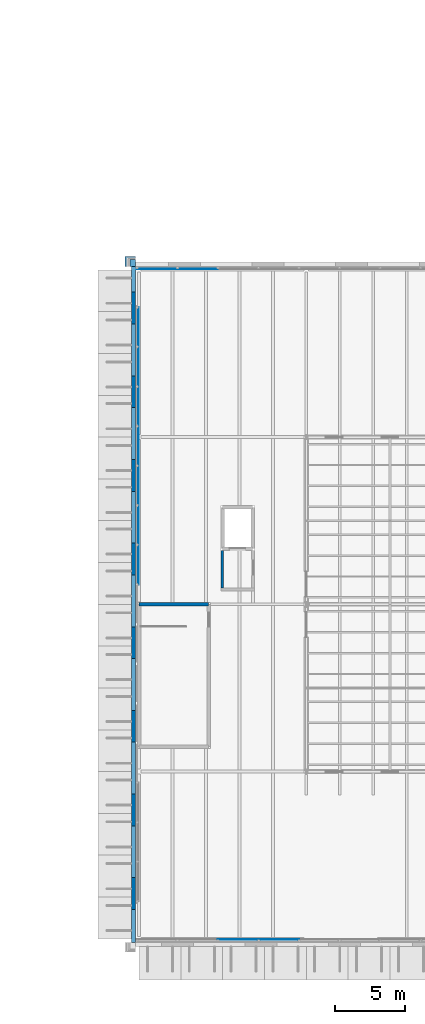
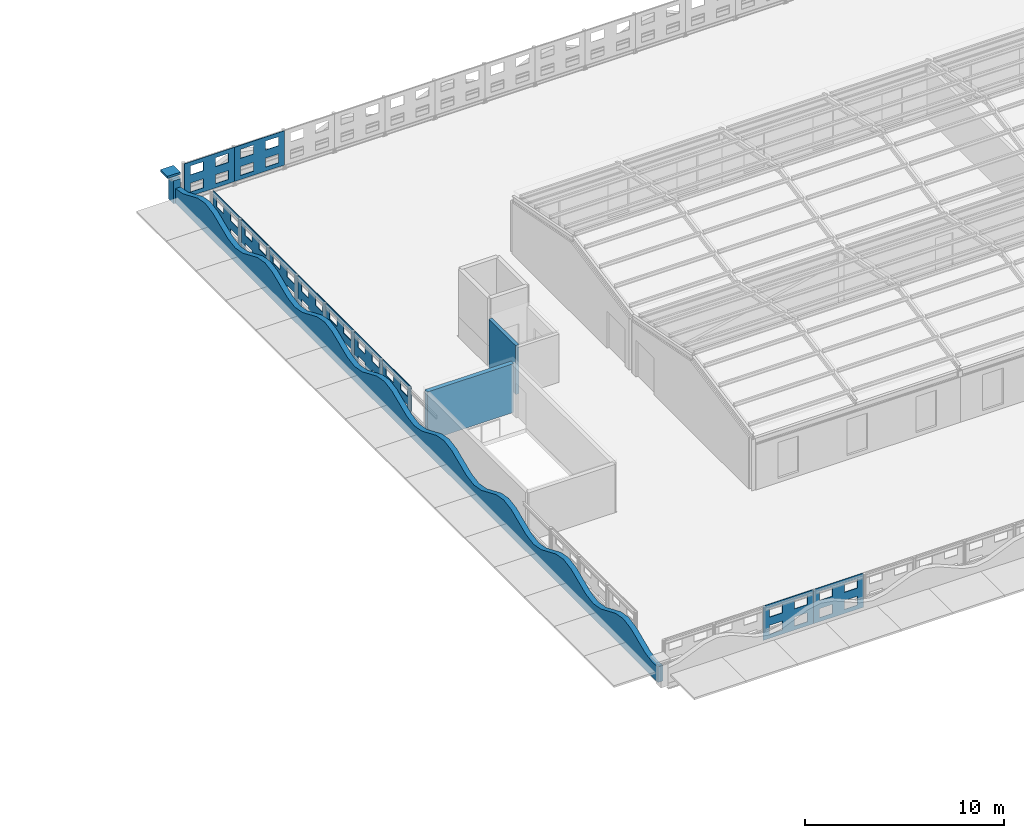
# One storey, part 55 of 91: 16 walls, 44 openings.
"""IFC4 building model written with IfcOpenShell, lengths in metres."""

from ifc_helpers import new_model, si_unit, direction, frame, frame_2d, origin, place, context, subcontext, project, spatial, polyline, rectangle, outline, extrude, material, layer, layer_set, type_object, element, save


model = new_model("IFC4")

# Units and contexts
model_context = context("Model", 3, precision=1e-05, world=origin(), true_north=direction((0.0, 1.0)))
body_context = subcontext(model_context, "Body", "Model", "MODEL_VIEW")
ifc_project = project(units=[si_unit("LENGTHUNIT", "METRE"), si_unit("AREAUNIT", "SQUARE_METRE"), si_unit("VOLUMEUNIT", "CUBIC_METRE"), si_unit("PLANEANGLEUNIT", "RADIAN"), si_unit("MASSUNIT", "GRAM", prefix="KILO")], contexts=[model_context])

# Site, building, storey
site_placement = place(None, origin())
site = spatial("IfcSite", under=ifc_project, at=site_placement, CompositionType="ELEMENT")
building_placement = place(site_placement, origin())
building = spatial("IfcBuilding", under=site, at=building_placement, Name="Ravi Spectrum Wholesale Market", CompositionType="ELEMENT")
storey_placement = place(building_placement, frame((0.0, 0.0, 16.199951171875)))
storey = spatial("IfcBuildingStorey", under=building, at=storey_placement, Name="ROOF PLANT LEVEL", CompositionType="ELEMENT", Elevation=16.199951171875)

# Walls
ifc_material_1 = material(Name="Concrete blockwork", Category="masonry")
ifc_layer_1 = layer(ifc_material_1, 0.199951171875)
ifc_layer_set_1 = layer_set([ifc_layer_1], Name="Concrete blockwork")
wall_type_1 = type_object("IfcWallType", Name="Blockwork partition 200 fire", PredefinedType="PARTITIONING", material=ifc_layer_set_1)
wall_1_placement = place(storey_placement, frame((203.97509765625, 43.175048828125, 0.0), z_axis=(0.0, 0.0, 1.0), x_axis=(0.0, 1.0, 0.0)))
element("IfcWall", 1, at=wall_1_placement, inside=storey, type_object=wall_type_1, Name="CS-WL-ROOF-109", PredefinedType="PARTITIONING", context=body_context, shape_type="SweptSolid", body=[
    extrude(rectangle(XDim=2.699951171875, YDim=0.199951171875, at=frame_2d((1.35009765625, 0.0))), origin(), (0.0, 0.0, 1.0), 3.0),
])
ifc_material_2 = material(Name="Clinker brickwork", Category="masonry")
ifc_layer_2 = layer(ifc_material_2, 0.695068359375)
ifc_layer_set_2 = layer_set([ifc_layer_2], Name="Clinker brickwork")
wall_type_2 = type_object("IfcWallType", Name="Brick corbel 695", PredefinedType="SOLIDWALL", material=ifc_layer_set_2)
wall_2_placement = place(storey_placement, frame((197.75, 66.597412109375, 1.670166015625), z_axis=(0.0, 0.0, 1.0), x_axis=(-1.0, 0.0, 0.0)))
element("IfcWall", 2, at=wall_2_placement, inside=storey, type_object=wall_type_2, Name="CS-WL-ROOF-020", PredefinedType="SOLIDWALL", context=body_context, shape_type="SweptSolid", body=[
    extrude(rectangle(XDim=0.760009765625, YDim=0.695068359375, at=frame_2d((0.3798828125, 0.0))), origin(), (0.0, 0.0, 1.0), 0.1298828125),
])
ifc_material_3 = material(Name="Facing brickwork", Category="masonry")
ifc_layer_3 = layer(ifc_material_3, 0.300048828125)
ifc_layer_set_3 = layer_set([ifc_layer_3], Name="Facing brickwork")
wall_type_3 = type_object("IfcWallType", Name="Brick parapet 300", PredefinedType="PARAPET", material=ifc_layer_set_3)
wall_3_placement = place(storey_placement, frame((197.60009765625, 66.25, 0.0), z_axis=(0.0, 0.0, 1.0), x_axis=(0.0, -1.0, 0.0)))
element("IfcWall", 3, at=wall_3_placement, inside=storey, type_object=wall_type_3, Name="CS-WL-ROOF-004", PredefinedType="PARAPET", context=body_context, shape_type="SweptSolid", body=[
    extrude(outline(polyline([(0.0, 0.0), (48.5, 0.0), (48.5, 0.96044921875), (48.0, 0.900146484375), (47.25, 1.03173828125), (46.5, 1.35009765625), (45.75, 1.668212890625), (45.0, 1.800048828125), (44.25, 1.668212890625), (43.5, 1.35009765625), (42.75, 1.03173828125), (42.0, 0.900146484375), (41.25, 1.03173828125), (40.5, 1.35009765625), (39.75, 1.668212890625), (39.0, 1.800048828125), (38.25, 1.668212890625), (37.5, 1.35009765625), (36.75, 1.03173828125), (36.0, 0.900146484375), (35.25, 1.03173828125), (34.5, 1.35009765625), (33.75, 1.668212890625), (33.0, 1.800048828125), (32.25, 1.668212890625), (31.5, 1.35009765625), (30.75, 1.03173828125), (30.0, 0.900146484375), (29.25, 1.03173828125), (28.5, 1.35009765625), (27.75, 1.668212890625), (27.0, 1.800048828125), (26.25, 1.668212890625), (25.5, 1.35009765625), (24.75, 1.03173828125), (24.0, 0.900146484375), (23.25, 1.03173828125), (22.5, 1.35009765625), (21.75, 1.668212890625), (21.0, 1.800048828125), (20.25, 1.668212890625), (19.5, 1.35009765625), (18.75, 1.03173828125), (18.0, 0.900146484375), (17.25, 1.03173828125), (16.5, 1.35009765625), (15.75, 1.668212890625), (15.0, 1.800048828125), (14.25, 1.668212890625), (13.5, 1.35009765625), (12.75, 1.03173828125), (12.0, 0.900146484375), (11.25, 1.03173828125), (10.5, 1.35009765625), (9.75, 1.668212890625), (9.0, 1.800048828125), (8.25, 1.668212890625), (7.5, 1.35009765625), (6.75, 1.03173828125), (6.0, 0.900146484375), (5.25, 1.03173828125), (4.5, 1.35009765625), (3.75, 1.668212890625), (3.0, 1.800048828125), (2.25, 1.668212890625), (1.5, 1.35009765625), (0.75, 1.03173828125), (0.0, 0.900146484375), (0.0, 0.0)])), frame((0.0, 0.14990234375, 0.0), z_axis=(0.0, -1.0, 0.0), x_axis=(1.0, 0.0, 0.0)), (0.0, 0.0, 1.0), 0.300048828125),
])
ifc_material_4 = material(Name="Clinker brickwork", Category="masonry")
ifc_layer_4 = layer(ifc_material_4, 0.485107421875)
ifc_layer_set_4 = layer_set([ifc_layer_4], Name="Clinker brickwork")
wall_type_4 = type_object("IfcWallType", Name="Brick pier 485", PredefinedType="SOLIDWALL", material=ifc_layer_set_4)
wall_4_placement = place(storey_placement, frame((197.75, 66.492431640625, 0.0), z_axis=(0.0, 0.0, 1.0), x_axis=(-1.0, 0.0, 0.0)))
element("IfcWall", 4, at=wall_4_placement, inside=storey, type_object=wall_type_4, Name="CS-WL-ROOF-017", PredefinedType="SOLIDWALL", context=body_context, shape_type="SweptSolid", body=[
    extrude(rectangle(XDim=0.4150390625, YDim=0.485107421875, at=frame_2d((0.20751953125, 0.0))), origin(), (0.0, 0.0, 1.0), 1.41015625),
])
ifc_material_5 = material(Name="Concrete C35/45", Category="concrete")
ifc_layer_5 = layer(ifc_material_5, 0.25)
ifc_layer_set_5 = layer_set([ifc_layer_5], Name="Concrete C35/45")
wall_type_5 = type_object("IfcWallType", Name="Concrete core wall 250", PredefinedType="SHEAR", material=ifc_layer_set_5)
wall_5_placement = place(storey_placement, frame((198.0, 42.0, 0.0), z_axis=(0.0, 0.0, 1.0), x_axis=(1.0, 0.0, 0.0)))
element("IfcWall", 5, at=wall_5_placement, inside=storey, type_object=wall_type_5, Name="Stair head house wall Stair S-CS-1", PredefinedType="SHEAR", context=body_context, shape_type="SweptSolid", body=[
    extrude(rectangle(XDim=5.0, YDim=0.25, at=frame_2d((2.5, 0.0))), origin(), (0.0, 0.0, 1.0), 3.0),
])

# Wall, openings
ifc_material_6 = material(Name="Aluminium perforated plate", Category="aluminium")
ifc_layer_6 = layer(ifc_material_6, 0.030029296875)
ifc_layer_set_6 = layer_set([ifc_layer_6], Name="Aluminium perforated plate")
wall_type_6 = type_object("IfcWallType", Name="Perforated screen panel 30", PredefinedType="SOLIDWALL", material=ifc_layer_set_6)
wall_6_placement = place(storey_placement, frame((203.663818359375, 17.94921875, 0.300048828125), z_axis=(0.0, 0.0, 1.0), x_axis=(1.0, 0.0, 0.0)))
wall_6 = element("IfcWall", 6, at=wall_6_placement, inside=storey, type_object=wall_type_6, Name="CS-WL-ROOF-023", PredefinedType="SOLIDWALL", context=body_context, shape_type="SweptSolid", body=[
    extrude(rectangle(XDim=2.906982421875, YDim=0.030029296875, at=frame_2d((1.45361328125, 0.0))), origin(), (0.0, 0.0, 1.0), 2.10009765625),
])
opening_1_placement = place(wall_6_placement, frame((0.35009765625, 0.0, 0.25)))
element("IfcOpeningElement", 7, at=opening_1_placement, cuts=wall_6, Name="Opening CS-OP-ROOF-009", PredefinedType="OPENING", context=body_context, shape_type="SweptSolid", body=[
    extrude(rectangle(XDim=0.75341796875, YDim=0.550048828125, at=frame_2d((0.376708984375, 0.27490234375))), frame((0.0, 0.02490234375, 0.0), z_axis=(0.0, -1.0, 0.0), x_axis=(1.0, 0.0, 0.0)), (0.0, 0.0, 1.0), 0.050048828125),
])
opening_2_placement = place(wall_6_placement, frame((0.35009765625, 0.0, 1.300048828125)))
element("IfcOpeningElement", 8, at=opening_2_placement, cuts=wall_6, Name="Opening CS-OP-ROOF-010", PredefinedType="OPENING", context=body_context, shape_type="SweptSolid", body=[
    extrude(rectangle(XDim=0.75341796875, YDim=0.550048828125, at=frame_2d((0.376708984375, 0.27490234375))), frame((0.0, 0.02490234375, 0.0), z_axis=(0.0, -1.0, 0.0), x_axis=(1.0, 0.0, 0.0)), (0.0, 0.0, 1.0), 0.050048828125),
])
opening_3_placement = place(wall_6_placement, frame((1.803466796875, 0.0, 0.25)))
element("IfcOpeningElement", 9, at=opening_3_placement, cuts=wall_6, Name="Opening CS-OP-ROOF-011", PredefinedType="OPENING", context=body_context, shape_type="SweptSolid", body=[
    extrude(rectangle(XDim=0.75341796875, YDim=0.550048828125, at=frame_2d((0.376708984375, 0.27490234375))), frame((0.0, 0.02490234375, 0.0), z_axis=(0.0, -1.0, 0.0), x_axis=(1.0, 0.0, 0.0)), (0.0, 0.0, 1.0), 0.050048828125),
])
opening_4_placement = place(wall_6_placement, frame((1.803466796875, 0.0, 1.300048828125)))
element("IfcOpeningElement", 10, at=opening_4_placement, cuts=wall_6, Name="Opening CS-OP-ROOF-012", PredefinedType="OPENING", context=body_context, shape_type="SweptSolid", body=[
    extrude(rectangle(XDim=0.75341796875, YDim=0.550048828125, at=frame_2d((0.376708984375, 0.27490234375))), frame((0.0, 0.02490234375, 0.0), z_axis=(0.0, -1.0, 0.0), x_axis=(1.0, 0.0, 0.0)), (0.0, 0.0, 1.0), 0.050048828125),
])

wall_7_placement = place(storey_placement, frame((206.57080078125, 17.94921875, 0.300048828125), z_axis=(0.0, 0.0, 1.0), x_axis=(1.0, 0.0, 0.0)))
wall_7 = element("IfcWall", 11, at=wall_7_placement, inside=storey, type_object=wall_type_6, Name="CS-WL-ROOF-024", PredefinedType="SOLIDWALL", context=body_context, shape_type="SweptSolid", body=[
    extrude(rectangle(XDim=2.90673828125, YDim=0.030029296875, at=frame_2d((1.453369140625, 0.0))), origin(), (0.0, 0.0, 1.0), 2.10009765625),
])
opening_5_placement = place(wall_7_placement, frame((0.35009765625, 0.0, 0.25)))
element("IfcOpeningElement", 12, at=opening_5_placement, cuts=wall_7, Name="Opening CS-OP-ROOF-013", PredefinedType="OPENING", context=body_context, shape_type="SweptSolid", body=[
    extrude(rectangle(XDim=0.75341796875, YDim=0.550048828125, at=frame_2d((0.376708984375, 0.27490234375))), frame((0.0, 0.02490234375, 0.0), z_axis=(0.0, -1.0, 0.0), x_axis=(1.0, 0.0, 0.0)), (0.0, 0.0, 1.0), 0.050048828125),
])
opening_6_placement = place(wall_7_placement, frame((0.35009765625, 0.0, 1.300048828125)))
element("IfcOpeningElement", 13, at=opening_6_placement, cuts=wall_7, Name="Opening CS-OP-ROOF-014", PredefinedType="OPENING", context=body_context, shape_type="SweptSolid", body=[
    extrude(rectangle(XDim=0.75341796875, YDim=0.550048828125, at=frame_2d((0.376708984375, 0.27490234375))), frame((0.0, 0.02490234375, 0.0), z_axis=(0.0, -1.0, 0.0), x_axis=(1.0, 0.0, 0.0)), (0.0, 0.0, 1.0), 0.050048828125),
])
opening_7_placement = place(wall_7_placement, frame((1.803466796875, 0.0, 0.25)))
element("IfcOpeningElement", 14, at=opening_7_placement, cuts=wall_7, Name="Opening CS-OP-ROOF-015", PredefinedType="OPENING", context=body_context, shape_type="SweptSolid", body=[
    extrude(rectangle(XDim=0.75341796875, YDim=0.550048828125, at=frame_2d((0.376708984375, 0.27490234375))), frame((0.0, 0.02490234375, 0.0), z_axis=(0.0, -1.0, 0.0), x_axis=(1.0, 0.0, 0.0)), (0.0, 0.0, 1.0), 0.050048828125),
])
opening_8_placement = place(wall_7_placement, frame((1.803466796875, 0.0, 1.300048828125)))
element("IfcOpeningElement", 15, at=opening_8_placement, cuts=wall_7, Name="Opening CS-OP-ROOF-016", PredefinedType="OPENING", context=body_context, shape_type="SweptSolid", body=[
    extrude(rectangle(XDim=0.75341796875, YDim=0.550048828125, at=frame_2d((0.376708984375, 0.27490234375))), frame((0.0, 0.02490234375, 0.0), z_axis=(0.0, -1.0, 0.0), x_axis=(1.0, 0.0, 0.0)), (0.0, 0.0, 1.0), 0.050048828125),
])

wall_8_placement = place(storey_placement, frame((203.663818359375, 66.05078125, 0.300048828125), z_axis=(0.0, 0.0, 1.0), x_axis=(-1.0, 0.0, 0.0)))
wall_8 = element("IfcWall", 16, at=wall_8_placement, inside=storey, type_object=wall_type_6, Name="CS-WL-ROOF-092", PredefinedType="SOLIDWALL", context=body_context, shape_type="SweptSolid", body=[
    extrude(rectangle(XDim=2.906982421875, YDim=0.030029296875, at=frame_2d((1.45361328125, 0.0))), origin(), (0.0, 0.0, 1.0), 2.10009765625),
])
opening_9_placement = place(wall_8_placement, frame((0.35009765625, 0.0, 0.25)))
element("IfcOpeningElement", 17, at=opening_9_placement, cuts=wall_8, Name="Opening CS-OP-ROOF-285", PredefinedType="OPENING", context=body_context, shape_type="SweptSolid", body=[
    extrude(rectangle(XDim=0.75341796875, YDim=0.550048828125, at=frame_2d((0.376708984375, 0.27490234375))), frame((0.0, 0.02490234375, 0.0), z_axis=(0.0, -1.0, 0.0), x_axis=(1.0, 0.0, 0.0)), (0.0, 0.0, 1.0), 0.050048828125),
])
opening_10_placement = place(wall_8_placement, frame((0.35009765625, 0.0, 1.300048828125)))
element("IfcOpeningElement", 18, at=opening_10_placement, cuts=wall_8, Name="Opening CS-OP-ROOF-286", PredefinedType="OPENING", context=body_context, shape_type="SweptSolid", body=[
    extrude(rectangle(XDim=0.75341796875, YDim=0.550048828125, at=frame_2d((0.376708984375, 0.27490234375))), frame((0.0, 0.02490234375, 0.0), z_axis=(0.0, -1.0, 0.0), x_axis=(1.0, 0.0, 0.0)), (0.0, 0.0, 1.0), 0.050048828125),
])
opening_11_placement = place(wall_8_placement, frame((1.803466796875, 0.0, 0.25)))
element("IfcOpeningElement", 19, at=opening_11_placement, cuts=wall_8, Name="Opening CS-OP-ROOF-287", PredefinedType="OPENING", context=body_context, shape_type="SweptSolid", body=[
    extrude(rectangle(XDim=0.75341796875, YDim=0.550048828125, at=frame_2d((0.376708984375, 0.27490234375))), frame((0.0, 0.02490234375, 0.0), z_axis=(0.0, -1.0, 0.0), x_axis=(1.0, 0.0, 0.0)), (0.0, 0.0, 1.0), 0.050048828125),
])
opening_12_placement = place(wall_8_placement, frame((1.803466796875, 0.0, 1.300048828125)))
element("IfcOpeningElement", 20, at=opening_12_placement, cuts=wall_8, Name="Opening CS-OP-ROOF-288", PredefinedType="OPENING", context=body_context, shape_type="SweptSolid", body=[
    extrude(rectangle(XDim=0.75341796875, YDim=0.550048828125, at=frame_2d((0.376708984375, 0.27490234375))), frame((0.0, 0.02490234375, 0.0), z_axis=(0.0, -1.0, 0.0), x_axis=(1.0, 0.0, 0.0)), (0.0, 0.0, 1.0), 0.050048828125),
])

wall_9_placement = place(storey_placement, frame((200.7568359375, 66.05078125, 0.300048828125), z_axis=(0.0, 0.0, 1.0), x_axis=(-1.0, 0.0, 0.0)))
wall_9 = element("IfcWall", 21, at=wall_9_placement, inside=storey, type_object=wall_type_6, Name="CS-WL-ROOF-093", PredefinedType="SOLIDWALL", context=body_context, shape_type="SweptSolid", body=[
    extrude(rectangle(XDim=2.90673828125, YDim=0.030029296875, at=frame_2d((1.453369140625, 0.0))), origin(), (0.0, 0.0, 1.0), 2.10009765625),
])
opening_13_placement = place(wall_9_placement, frame((0.35009765625, 0.0, 0.25)))
element("IfcOpeningElement", 22, at=opening_13_placement, cuts=wall_9, Name="Opening CS-OP-ROOF-289", PredefinedType="OPENING", context=body_context, shape_type="SweptSolid", body=[
    extrude(rectangle(XDim=0.75341796875, YDim=0.550048828125, at=frame_2d((0.376708984375, 0.27490234375))), frame((0.0, 0.02490234375, 0.0), z_axis=(0.0, -1.0, 0.0), x_axis=(1.0, 0.0, 0.0)), (0.0, 0.0, 1.0), 0.050048828125),
])
opening_14_placement = place(wall_9_placement, frame((0.35009765625, 0.0, 1.300048828125)))
element("IfcOpeningElement", 23, at=opening_14_placement, cuts=wall_9, Name="Opening CS-OP-ROOF-290", PredefinedType="OPENING", context=body_context, shape_type="SweptSolid", body=[
    extrude(rectangle(XDim=0.75341796875, YDim=0.550048828125, at=frame_2d((0.376708984375, 0.27490234375))), frame((0.0, 0.02490234375, 0.0), z_axis=(0.0, -1.0, 0.0), x_axis=(1.0, 0.0, 0.0)), (0.0, 0.0, 1.0), 0.050048828125),
])
opening_15_placement = place(wall_9_placement, frame((1.803466796875, 0.0, 0.25)))
element("IfcOpeningElement", 24, at=opening_15_placement, cuts=wall_9, Name="Opening CS-OP-ROOF-291", PredefinedType="OPENING", context=body_context, shape_type="SweptSolid", body=[
    extrude(rectangle(XDim=0.75341796875, YDim=0.550048828125, at=frame_2d((0.376708984375, 0.27490234375))), frame((0.0, 0.02490234375, 0.0), z_axis=(0.0, -1.0, 0.0), x_axis=(1.0, 0.0, 0.0)), (0.0, 0.0, 1.0), 0.050048828125),
])
opening_16_placement = place(wall_9_placement, frame((1.803466796875, 0.0, 1.300048828125)))
element("IfcOpeningElement", 25, at=opening_16_placement, cuts=wall_9, Name="Opening CS-OP-ROOF-292", PredefinedType="OPENING", context=body_context, shape_type="SweptSolid", body=[
    extrude(rectangle(XDim=0.75341796875, YDim=0.550048828125, at=frame_2d((0.376708984375, 0.27490234375))), frame((0.0, 0.02490234375, 0.0), z_axis=(0.0, -1.0, 0.0), x_axis=(1.0, 0.0, 0.0)), (0.0, 0.0, 1.0), 0.050048828125),
])

wall_10_placement = place(storey_placement, frame((197.94921875, 63.308837890625, 0.300048828125), z_axis=(0.0, 0.0, 1.0), x_axis=(0.0, -1.0, 0.0)))
wall_10 = element("IfcWall", 26, at=wall_10_placement, inside=storey, type_object=wall_type_6, Name="CS-WL-ROOF-094", PredefinedType="SOLIDWALL", context=body_context, shape_type="SweptSolid", body=[
    extrude(rectangle(XDim=2.84130859375, YDim=0.030029296875, at=frame_2d((1.420654296875, 0.0))), origin(), (0.0, 0.0, 1.0), 2.10009765625),
])
opening_17_placement = place(wall_10_placement, frame((0.35009765625, 0.0, 0.25)))
element("IfcOpeningElement", 27, at=opening_17_placement, cuts=wall_10, Name="Opening CS-OP-ROOF-293", PredefinedType="OPENING", context=body_context, shape_type="SweptSolid", body=[
    extrude(rectangle(XDim=0.720703125, YDim=0.550048828125, at=frame_2d((0.3603515625, 0.27490234375))), frame((0.0, 0.02490234375, 0.0), z_axis=(0.0, -1.0, 0.0), x_axis=(1.0, 0.0, 0.0)), (0.0, 0.0, 1.0), 0.050048828125),
])
opening_18_placement = place(wall_10_placement, frame((0.35009765625, 0.0, 1.300048828125)))
element("IfcOpeningElement", 28, at=opening_18_placement, cuts=wall_10, Name="Opening CS-OP-ROOF-294", PredefinedType="OPENING", context=body_context, shape_type="SweptSolid", body=[
    extrude(rectangle(XDim=0.720703125, YDim=0.550048828125, at=frame_2d((0.3603515625, 0.27490234375))), frame((0.0, 0.02490234375, 0.0), z_axis=(0.0, -1.0, 0.0), x_axis=(1.0, 0.0, 0.0)), (0.0, 0.0, 1.0), 0.050048828125),
])
opening_19_placement = place(wall_10_placement, frame((1.7705078125, 0.0, 0.25)))
element("IfcOpeningElement", 29, at=opening_19_placement, cuts=wall_10, Name="Opening CS-OP-ROOF-295", PredefinedType="OPENING", context=body_context, shape_type="SweptSolid", body=[
    extrude(rectangle(XDim=0.720703125, YDim=0.550048828125, at=frame_2d((0.3603515625, 0.27490234375))), frame((0.0, 0.02490234375, 0.0), z_axis=(0.0, -1.0, 0.0), x_axis=(1.0, 0.0, 0.0)), (0.0, 0.0, 1.0), 0.050048828125),
])
opening_20_placement = place(wall_10_placement, frame((1.7705078125, 0.0, 1.300048828125)))
element("IfcOpeningElement", 30, at=opening_20_placement, cuts=wall_10, Name="Opening CS-OP-ROOF-296", PredefinedType="OPENING", context=body_context, shape_type="SweptSolid", body=[
    extrude(rectangle(XDim=0.720703125, YDim=0.550048828125, at=frame_2d((0.3603515625, 0.27490234375))), frame((0.0, 0.02490234375, 0.0), z_axis=(0.0, -1.0, 0.0), x_axis=(1.0, 0.0, 0.0)), (0.0, 0.0, 1.0), 0.050048828125),
])

wall_11_placement = place(storey_placement, frame((197.94921875, 60.467529296875, 0.300048828125), z_axis=(0.0, 0.0, 1.0), x_axis=(0.0, -1.0, 0.0)))
wall_11 = element("IfcWall", 31, at=wall_11_placement, inside=storey, type_object=wall_type_6, Name="CS-WL-ROOF-095", PredefinedType="SOLIDWALL", context=body_context, shape_type="SweptSolid", body=[
    extrude(rectangle(XDim=2.841064453125, YDim=0.030029296875, at=frame_2d((1.42041015625, 0.0))), origin(), (0.0, 0.0, 1.0), 2.10009765625),
])
opening_21_placement = place(wall_11_placement, frame((0.35009765625, 0.0, 0.25)))
element("IfcOpeningElement", 32, at=opening_21_placement, cuts=wall_11, Name="Opening CS-OP-ROOF-297", PredefinedType="OPENING", context=body_context, shape_type="SweptSolid", body=[
    extrude(rectangle(XDim=0.720703125, YDim=0.550048828125, at=frame_2d((0.3603515625, 0.27490234375))), frame((0.0, 0.02490234375, 0.0), z_axis=(0.0, -1.0, 0.0), x_axis=(1.0, 0.0, 0.0)), (0.0, 0.0, 1.0), 0.050048828125),
])
opening_22_placement = place(wall_11_placement, frame((0.35009765625, 0.0, 1.300048828125)))
element("IfcOpeningElement", 33, at=opening_22_placement, cuts=wall_11, Name="Opening CS-OP-ROOF-298", PredefinedType="OPENING", context=body_context, shape_type="SweptSolid", body=[
    extrude(rectangle(XDim=0.720703125, YDim=0.550048828125, at=frame_2d((0.3603515625, 0.27490234375))), frame((0.0, 0.02490234375, 0.0), z_axis=(0.0, -1.0, 0.0), x_axis=(1.0, 0.0, 0.0)), (0.0, 0.0, 1.0), 0.050048828125),
])
opening_23_placement = place(wall_11_placement, frame((1.7705078125, 0.0, 0.25)))
element("IfcOpeningElement", 34, at=opening_23_placement, cuts=wall_11, Name="Opening CS-OP-ROOF-299", PredefinedType="OPENING", context=body_context, shape_type="SweptSolid", body=[
    extrude(rectangle(XDim=0.720703125, YDim=0.550048828125, at=frame_2d((0.3603515625, 0.27490234375))), frame((0.0, 0.02490234375, 0.0), z_axis=(0.0, -1.0, 0.0), x_axis=(1.0, 0.0, 0.0)), (0.0, 0.0, 1.0), 0.050048828125),
])
opening_24_placement = place(wall_11_placement, frame((1.7705078125, 0.0, 1.300048828125)))
element("IfcOpeningElement", 35, at=opening_24_placement, cuts=wall_11, Name="Opening CS-OP-ROOF-300", PredefinedType="OPENING", context=body_context, shape_type="SweptSolid", body=[
    extrude(rectangle(XDim=0.720703125, YDim=0.550048828125, at=frame_2d((0.3603515625, 0.27490234375))), frame((0.0, 0.02490234375, 0.0), z_axis=(0.0, -1.0, 0.0), x_axis=(1.0, 0.0, 0.0)), (0.0, 0.0, 1.0), 0.050048828125),
])

wall_12_placement = place(storey_placement, frame((197.94921875, 57.62646484375, 0.300048828125), z_axis=(0.0, 0.0, 1.0), x_axis=(0.0, -1.0, 0.0)))
wall_12 = element("IfcWall", 36, at=wall_12_placement, inside=storey, type_object=wall_type_6, Name="CS-WL-ROOF-096", PredefinedType="SOLIDWALL", context=body_context, shape_type="SweptSolid", body=[
    extrude(rectangle(XDim=2.841064453125, YDim=0.030029296875, at=frame_2d((1.42041015625, 0.0))), origin(), (0.0, 0.0, 1.0), 2.10009765625),
])
opening_25_placement = place(wall_12_placement, frame((0.35009765625, 0.0, 0.25)))
element("IfcOpeningElement", 37, at=opening_25_placement, cuts=wall_12, Name="Opening CS-OP-ROOF-301", PredefinedType="OPENING", context=body_context, shape_type="SweptSolid", body=[
    extrude(rectangle(XDim=0.720703125, YDim=0.550048828125, at=frame_2d((0.3603515625, 0.27490234375))), frame((0.0, 0.02490234375, 0.0), z_axis=(0.0, -1.0, 0.0), x_axis=(1.0, 0.0, 0.0)), (0.0, 0.0, 1.0), 0.050048828125),
])
opening_26_placement = place(wall_12_placement, frame((0.35009765625, 0.0, 1.300048828125)))
element("IfcOpeningElement", 38, at=opening_26_placement, cuts=wall_12, Name="Opening CS-OP-ROOF-302", PredefinedType="OPENING", context=body_context, shape_type="SweptSolid", body=[
    extrude(rectangle(XDim=0.720703125, YDim=0.550048828125, at=frame_2d((0.3603515625, 0.27490234375))), frame((0.0, 0.02490234375, 0.0), z_axis=(0.0, -1.0, 0.0), x_axis=(1.0, 0.0, 0.0)), (0.0, 0.0, 1.0), 0.050048828125),
])
opening_27_placement = place(wall_12_placement, frame((1.7705078125, 0.0, 0.25)))
element("IfcOpeningElement", 39, at=opening_27_placement, cuts=wall_12, Name="Opening CS-OP-ROOF-303", PredefinedType="OPENING", context=body_context, shape_type="SweptSolid", body=[
    extrude(rectangle(XDim=0.720703125, YDim=0.550048828125, at=frame_2d((0.3603515625, 0.27490234375))), frame((0.0, 0.02490234375, 0.0), z_axis=(0.0, -1.0, 0.0), x_axis=(1.0, 0.0, 0.0)), (0.0, 0.0, 1.0), 0.050048828125),
])
opening_28_placement = place(wall_12_placement, frame((1.7705078125, 0.0, 1.300048828125)))
element("IfcOpeningElement", 40, at=opening_28_placement, cuts=wall_12, Name="Opening CS-OP-ROOF-304", PredefinedType="OPENING", context=body_context, shape_type="SweptSolid", body=[
    extrude(rectangle(XDim=0.720703125, YDim=0.550048828125, at=frame_2d((0.3603515625, 0.27490234375))), frame((0.0, 0.02490234375, 0.0), z_axis=(0.0, -1.0, 0.0), x_axis=(1.0, 0.0, 0.0)), (0.0, 0.0, 1.0), 0.050048828125),
])

wall_13_placement = place(storey_placement, frame((197.94921875, 54.785400390625, 0.300048828125), z_axis=(0.0, 0.0, 1.0), x_axis=(0.0, -1.0, 0.0)))
wall_13 = element("IfcWall", 41, at=wall_13_placement, inside=storey, type_object=wall_type_6, Name="CS-WL-ROOF-097", PredefinedType="SOLIDWALL", context=body_context, shape_type="SweptSolid", body=[
    extrude(rectangle(XDim=2.84130859375, YDim=0.030029296875, at=frame_2d((1.420654296875, 0.0))), origin(), (0.0, 0.0, 1.0), 2.10009765625),
])
opening_29_placement = place(wall_13_placement, frame((0.35009765625, 0.0, 0.25)))
element("IfcOpeningElement", 42, at=opening_29_placement, cuts=wall_13, Name="Opening CS-OP-ROOF-305", PredefinedType="OPENING", context=body_context, shape_type="SweptSolid", body=[
    extrude(rectangle(XDim=0.720703125, YDim=0.550048828125, at=frame_2d((0.3603515625, 0.27490234375))), frame((0.0, 0.02490234375, 0.0), z_axis=(0.0, -1.0, 0.0), x_axis=(1.0, 0.0, 0.0)), (0.0, 0.0, 1.0), 0.050048828125),
])
opening_30_placement = place(wall_13_placement, frame((0.35009765625, 0.0, 1.300048828125)))
element("IfcOpeningElement", 43, at=opening_30_placement, cuts=wall_13, Name="Opening CS-OP-ROOF-306", PredefinedType="OPENING", context=body_context, shape_type="SweptSolid", body=[
    extrude(rectangle(XDim=0.720703125, YDim=0.550048828125, at=frame_2d((0.3603515625, 0.27490234375))), frame((0.0, 0.02490234375, 0.0), z_axis=(0.0, -1.0, 0.0), x_axis=(1.0, 0.0, 0.0)), (0.0, 0.0, 1.0), 0.050048828125),
])
opening_31_placement = place(wall_13_placement, frame((1.7705078125, 0.0, 0.25)))
element("IfcOpeningElement", 44, at=opening_31_placement, cuts=wall_13, Name="Opening CS-OP-ROOF-307", PredefinedType="OPENING", context=body_context, shape_type="SweptSolid", body=[
    extrude(rectangle(XDim=0.720703125, YDim=0.550048828125, at=frame_2d((0.3603515625, 0.27490234375))), frame((0.0, 0.02490234375, 0.0), z_axis=(0.0, -1.0, 0.0), x_axis=(1.0, 0.0, 0.0)), (0.0, 0.0, 1.0), 0.050048828125),
])
opening_32_placement = place(wall_13_placement, frame((1.7705078125, 0.0, 1.300048828125)))
element("IfcOpeningElement", 45, at=opening_32_placement, cuts=wall_13, Name="Opening CS-OP-ROOF-308", PredefinedType="OPENING", context=body_context, shape_type="SweptSolid", body=[
    extrude(rectangle(XDim=0.720703125, YDim=0.550048828125, at=frame_2d((0.3603515625, 0.27490234375))), frame((0.0, 0.02490234375, 0.0), z_axis=(0.0, -1.0, 0.0), x_axis=(1.0, 0.0, 0.0)), (0.0, 0.0, 1.0), 0.050048828125),
])

wall_14_placement = place(storey_placement, frame((197.94921875, 51.944091796875, 0.300048828125), z_axis=(0.0, 0.0, 1.0), x_axis=(0.0, -1.0, 0.0)))
wall_14 = element("IfcWall", 46, at=wall_14_placement, inside=storey, type_object=wall_type_6, Name="CS-WL-ROOF-098", PredefinedType="SOLIDWALL", context=body_context, shape_type="SweptSolid", body=[
    extrude(rectangle(XDim=2.841064453125, YDim=0.030029296875, at=frame_2d((1.42041015625, 0.0))), origin(), (0.0, 0.0, 1.0), 2.10009765625),
])
opening_33_placement = place(wall_14_placement, frame((0.35009765625, 0.0, 0.25)))
element("IfcOpeningElement", 47, at=opening_33_placement, cuts=wall_14, Name="Opening CS-OP-ROOF-309", PredefinedType="OPENING", context=body_context, shape_type="SweptSolid", body=[
    extrude(rectangle(XDim=0.720703125, YDim=0.550048828125, at=frame_2d((0.3603515625, 0.27490234375))), frame((0.0, 0.02490234375, 0.0), z_axis=(0.0, -1.0, 0.0), x_axis=(1.0, 0.0, 0.0)), (0.0, 0.0, 1.0), 0.050048828125),
])
opening_34_placement = place(wall_14_placement, frame((0.35009765625, 0.0, 1.300048828125)))
element("IfcOpeningElement", 48, at=opening_34_placement, cuts=wall_14, Name="Opening CS-OP-ROOF-310", PredefinedType="OPENING", context=body_context, shape_type="SweptSolid", body=[
    extrude(rectangle(XDim=0.720703125, YDim=0.550048828125, at=frame_2d((0.3603515625, 0.27490234375))), frame((0.0, 0.02490234375, 0.0), z_axis=(0.0, -1.0, 0.0), x_axis=(1.0, 0.0, 0.0)), (0.0, 0.0, 1.0), 0.050048828125),
])
opening_35_placement = place(wall_14_placement, frame((1.7705078125, 0.0, 0.25)))
element("IfcOpeningElement", 49, at=opening_35_placement, cuts=wall_14, Name="Opening CS-OP-ROOF-311", PredefinedType="OPENING", context=body_context, shape_type="SweptSolid", body=[
    extrude(rectangle(XDim=0.720703125, YDim=0.550048828125, at=frame_2d((0.3603515625, 0.27490234375))), frame((0.0, 0.02490234375, 0.0), z_axis=(0.0, -1.0, 0.0), x_axis=(1.0, 0.0, 0.0)), (0.0, 0.0, 1.0), 0.050048828125),
])
opening_36_placement = place(wall_14_placement, frame((1.7705078125, 0.0, 1.300048828125)))
element("IfcOpeningElement", 50, at=opening_36_placement, cuts=wall_14, Name="Opening CS-OP-ROOF-312", PredefinedType="OPENING", context=body_context, shape_type="SweptSolid", body=[
    extrude(rectangle(XDim=0.720703125, YDim=0.550048828125, at=frame_2d((0.3603515625, 0.27490234375))), frame((0.0, 0.02490234375, 0.0), z_axis=(0.0, -1.0, 0.0), x_axis=(1.0, 0.0, 0.0)), (0.0, 0.0, 1.0), 0.050048828125),
])

wall_15_placement = place(storey_placement, frame((197.94921875, 49.10302734375, 0.300048828125), z_axis=(0.0, 0.0, 1.0), x_axis=(0.0, -1.0, 0.0)))
wall_15 = element("IfcWall", 51, at=wall_15_placement, inside=storey, type_object=wall_type_6, Name="CS-WL-ROOF-099", PredefinedType="SOLIDWALL", context=body_context, shape_type="SweptSolid", body=[
    extrude(rectangle(XDim=2.84130859375, YDim=0.030029296875, at=frame_2d((1.420654296875, 0.0))), origin(), (0.0, 0.0, 1.0), 2.10009765625),
])
opening_37_placement = place(wall_15_placement, frame((0.35009765625, 0.0, 0.25)))
element("IfcOpeningElement", 52, at=opening_37_placement, cuts=wall_15, Name="Opening CS-OP-ROOF-313", PredefinedType="OPENING", context=body_context, shape_type="SweptSolid", body=[
    extrude(rectangle(XDim=0.720703125, YDim=0.550048828125, at=frame_2d((0.3603515625, 0.27490234375))), frame((0.0, 0.02490234375, 0.0), z_axis=(0.0, -1.0, 0.0), x_axis=(1.0, 0.0, 0.0)), (0.0, 0.0, 1.0), 0.050048828125),
])
opening_38_placement = place(wall_15_placement, frame((0.35009765625, 0.0, 1.300048828125)))
element("IfcOpeningElement", 53, at=opening_38_placement, cuts=wall_15, Name="Opening CS-OP-ROOF-314", PredefinedType="OPENING", context=body_context, shape_type="SweptSolid", body=[
    extrude(rectangle(XDim=0.720703125, YDim=0.550048828125, at=frame_2d((0.3603515625, 0.27490234375))), frame((0.0, 0.02490234375, 0.0), z_axis=(0.0, -1.0, 0.0), x_axis=(1.0, 0.0, 0.0)), (0.0, 0.0, 1.0), 0.050048828125),
])
opening_39_placement = place(wall_15_placement, frame((1.7705078125, 0.0, 0.25)))
element("IfcOpeningElement", 54, at=opening_39_placement, cuts=wall_15, Name="Opening CS-OP-ROOF-315", PredefinedType="OPENING", context=body_context, shape_type="SweptSolid", body=[
    extrude(rectangle(XDim=0.720703125, YDim=0.550048828125, at=frame_2d((0.3603515625, 0.27490234375))), frame((0.0, 0.02490234375, 0.0), z_axis=(0.0, -1.0, 0.0), x_axis=(1.0, 0.0, 0.0)), (0.0, 0.0, 1.0), 0.050048828125),
])
opening_40_placement = place(wall_15_placement, frame((1.7705078125, 0.0, 1.300048828125)))
element("IfcOpeningElement", 55, at=opening_40_placement, cuts=wall_15, Name="Opening CS-OP-ROOF-316", PredefinedType="OPENING", context=body_context, shape_type="SweptSolid", body=[
    extrude(rectangle(XDim=0.720703125, YDim=0.550048828125, at=frame_2d((0.3603515625, 0.27490234375))), frame((0.0, 0.02490234375, 0.0), z_axis=(0.0, -1.0, 0.0), x_axis=(1.0, 0.0, 0.0)), (0.0, 0.0, 1.0), 0.050048828125),
])

wall_16_placement = place(storey_placement, frame((197.94921875, 46.26171875, 0.300048828125), z_axis=(0.0, 0.0, 1.0), x_axis=(0.0, -1.0, 0.0)))
wall_16 = element("IfcWall", 56, at=wall_16_placement, inside=storey, type_object=wall_type_6, Name="CS-WL-ROOF-100", PredefinedType="SOLIDWALL", context=body_context, shape_type="SweptSolid", body=[
    extrude(rectangle(XDim=2.841064453125, YDim=0.030029296875, at=frame_2d((1.42041015625, 0.0))), origin(), (0.0, 0.0, 1.0), 2.10009765625),
])
opening_41_placement = place(wall_16_placement, frame((0.35009765625, 0.0, 0.25)))
element("IfcOpeningElement", 57, at=opening_41_placement, cuts=wall_16, Name="Opening CS-OP-ROOF-317", PredefinedType="OPENING", context=body_context, shape_type="SweptSolid", body=[
    extrude(rectangle(XDim=0.720703125, YDim=0.550048828125, at=frame_2d((0.3603515625, 0.27490234375))), frame((0.0, 0.02490234375, 0.0), z_axis=(0.0, -1.0, 0.0), x_axis=(1.0, 0.0, 0.0)), (0.0, 0.0, 1.0), 0.050048828125),
])
opening_42_placement = place(wall_16_placement, frame((0.35009765625, 0.0, 1.300048828125)))
element("IfcOpeningElement", 58, at=opening_42_placement, cuts=wall_16, Name="Opening CS-OP-ROOF-318", PredefinedType="OPENING", context=body_context, shape_type="SweptSolid", body=[
    extrude(rectangle(XDim=0.720703125, YDim=0.550048828125, at=frame_2d((0.3603515625, 0.27490234375))), frame((0.0, 0.02490234375, 0.0), z_axis=(0.0, -1.0, 0.0), x_axis=(1.0, 0.0, 0.0)), (0.0, 0.0, 1.0), 0.050048828125),
])
opening_43_placement = place(wall_16_placement, frame((1.7705078125, 0.0, 0.25)))
element("IfcOpeningElement", 59, at=opening_43_placement, cuts=wall_16, Name="Opening CS-OP-ROOF-319", PredefinedType="OPENING", context=body_context, shape_type="SweptSolid", body=[
    extrude(rectangle(XDim=0.720703125, YDim=0.550048828125, at=frame_2d((0.3603515625, 0.27490234375))), frame((0.0, 0.02490234375, 0.0), z_axis=(0.0, -1.0, 0.0), x_axis=(1.0, 0.0, 0.0)), (0.0, 0.0, 1.0), 0.050048828125),
])
opening_44_placement = place(wall_16_placement, frame((1.7705078125, 0.0, 1.300048828125)))
element("IfcOpeningElement", 60, at=opening_44_placement, cuts=wall_16, Name="Opening CS-OP-ROOF-320", PredefinedType="OPENING", context=body_context, shape_type="SweptSolid", body=[
    extrude(rectangle(XDim=0.720703125, YDim=0.550048828125, at=frame_2d((0.3603515625, 0.27490234375))), frame((0.0, 0.02490234375, 0.0), z_axis=(0.0, -1.0, 0.0), x_axis=(1.0, 0.0, 0.0)), (0.0, 0.0, 1.0), 0.050048828125),
])

save(model, "model.ifc")
